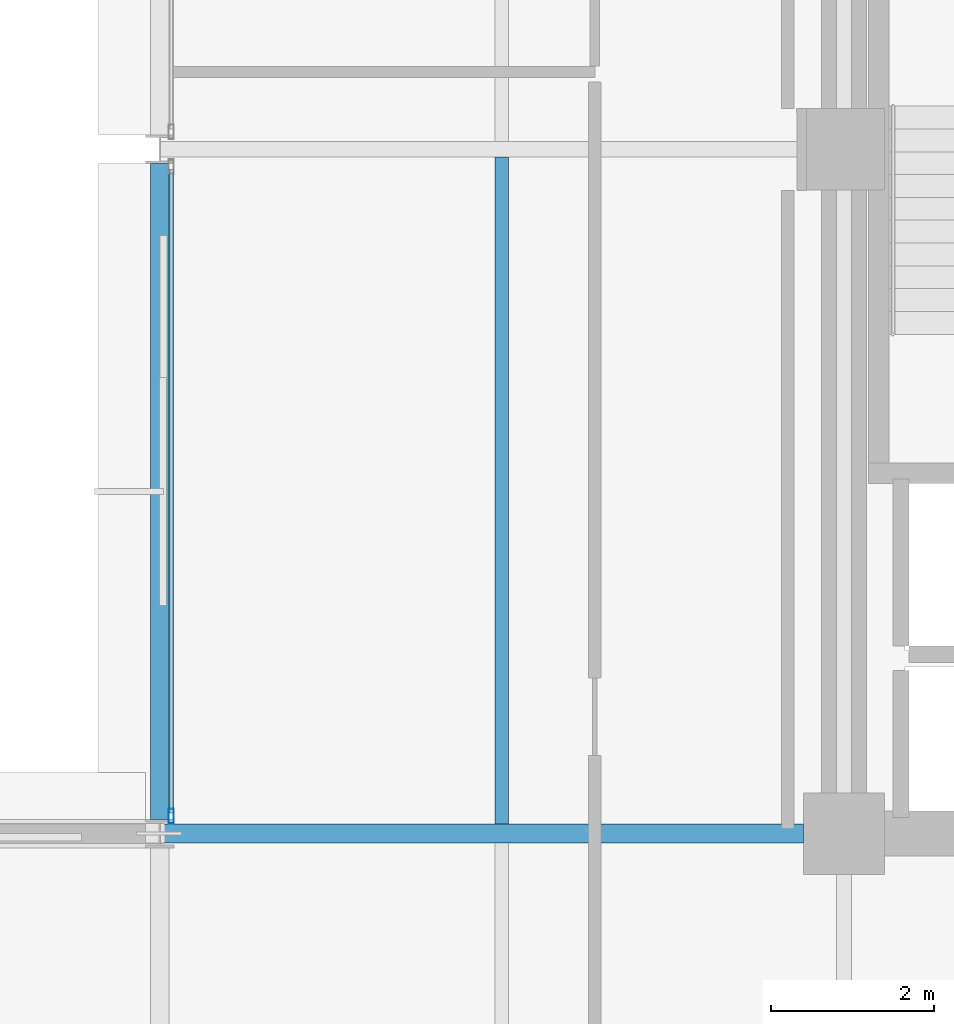
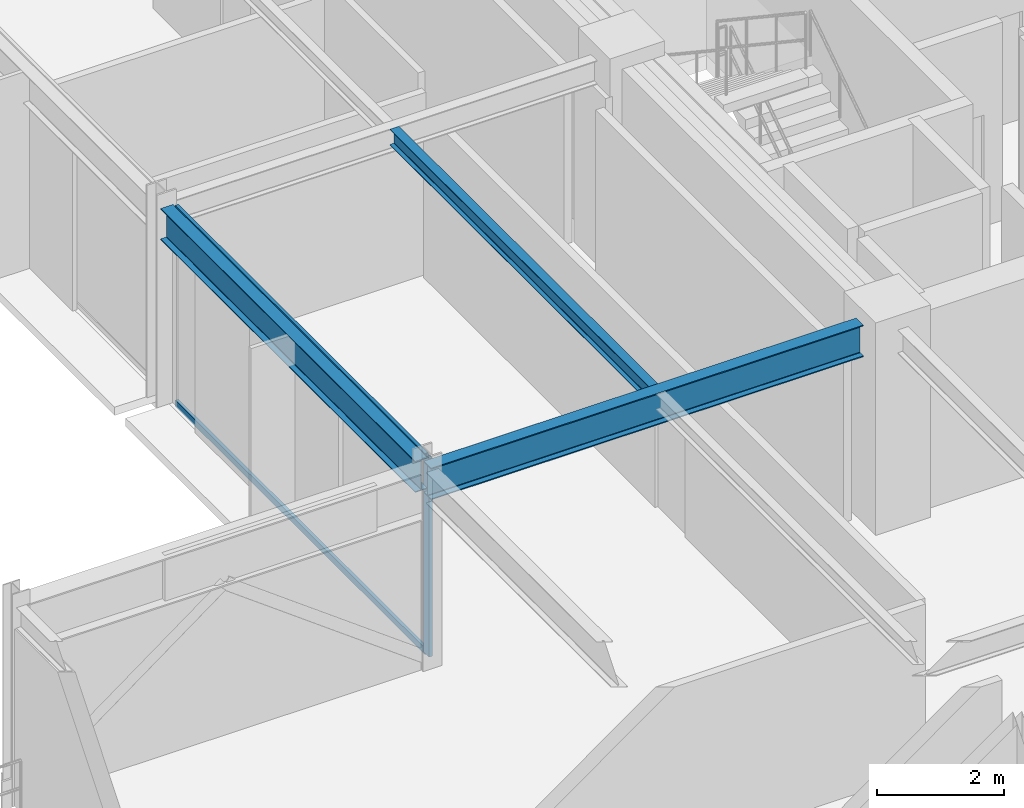
# One storey, part 9 of 30: 3 beams, 3 members, 1 element without a shape of its own.
"""IFC4 building model written with IfcOpenShell, lengths in metres."""

from ifc_helpers import new_model, si_unit, direction, frame, origin, origin_2d, place, context, subcontext, project, spatial, hollow_rectangle, i_section, extrude, material, layer, layer_set, material_profile, profile_set, type_object, element, aggregate, save


model = new_model("IFC4")

# Units and contexts
model_context = context("Model", 3, precision=1e-05, world=origin(), true_north=direction((0.0, 1.0)))
body_context = subcontext(model_context, "Body", "Model", "MODEL_VIEW")
ifc_project = project(units=[si_unit("LENGTHUNIT", "METRE"), si_unit("AREAUNIT", "SQUARE_METRE"), si_unit("VOLUMEUNIT", "CUBIC_METRE"), si_unit("PLANEANGLEUNIT", "RADIAN"), si_unit("MASSUNIT", "GRAM", prefix="KILO")], contexts=[model_context])

# Site, building, storey
site_placement = place(None, origin())
site = spatial("IfcSite", under=ifc_project, at=site_placement, CompositionType="ELEMENT")
building_placement = place(site_placement, origin())
building = spatial("IfcBuilding", under=site, at=building_placement, Name="Nerrivon Quay Data Exchange", CompositionType="ELEMENT")
storey_placement = place(building_placement, frame((0.0, 0.0, 171.39990234375)))
storey = spatial("IfcBuildingStorey", under=building, at=storey_placement, Name="L40", CompositionType="ELEMENT", Elevation=171.39990234375)

# Beams
ifc_material_1 = material(Name="Steel Grade 350", Category="steel")
ifc_material_profile_1 = material_profile(ifc_material_1, i_section(OverallWidth=0.22900390625, OverallDepth=0.612060546875, WebThickness=0.011962890625, FlangeThickness=0.01953125, FilletRadius=0.013916015625, at=origin_2d()), Name="610UB125")
ifc_profile_set_1 = profile_set([ifc_material_profile_1], Name="Steel Grade 350")
beam_type_1 = type_object("IfcBeamType", Name="BM-G1-610UB125", PredefinedType="BEAM", material=ifc_profile_set_1)
beam_1_placement = place(storey_placement, frame((0.010009765625, 25.199951171875, 3.51904296875), z_axis=(1.0, 0.0, 0.0), x_axis=(0.0, 1.0, 0.0)))
element("IfcBeam", 1, at=beam_1_placement, inside=storey, type_object=beam_type_1, Name="L40 EW Girder Y=25.2 (0.0..8.4)", PredefinedType="BEAM", context=body_context, shape_type="SweptSolid", body=[
    extrude(i_section(OverallWidth=0.22900390625, OverallDepth=0.612060546875, WebThickness=0.011962890625, FlangeThickness=0.01953125, FilletRadius=0.013916015625, at=origin_2d()), origin(), (0.0, 0.0, 1.0), 7.889892578125),
])
ifc_material_profile_2 = material_profile(ifc_material_1, i_section(OverallWidth=0.22802734375, OverallDepth=0.60205078125, WebThickness=0.010498046875, FlangeThickness=0.014892578125, FilletRadius=0.013916015625, at=origin_2d()), Name="610UB101")
ifc_profile_set_2 = profile_set([ifc_material_profile_2], Name="Steel Grade 350")
beam_type_2 = type_object("IfcBeamType", Name="BM-G2-610UB101", PredefinedType="BEAM", material=ifc_profile_set_2)
beam_2_placement = place(storey_placement, frame((0.0, 25.375, 3.524169921875), z_axis=(0.0, 1.0, 0.0), x_axis=(-1.0, 0.0, 0.0)))
element("IfcBeam", 2, at=beam_2_placement, inside=storey, type_object=beam_type_2, Name="L40 NS Girder X=0.0 (25.2..33.6)", PredefinedType="BEAM", context=body_context, shape_type="SweptSolid", body=[
    extrude(i_section(OverallWidth=0.22802734375, OverallDepth=0.60205078125, WebThickness=0.010498046875, FlangeThickness=0.014892578125, FilletRadius=0.013916015625, at=origin_2d()), origin(), (0.0, 0.0, 1.0), 8.050048828125),
])
ifc_material_profile_3 = material_profile(ifc_material_1, i_section(OverallWidth=0.166015625, OverallDepth=0.306884765625, WebThickness=0.006591796875, FlangeThickness=0.01171875, FilletRadius=0.011474609375, at=origin_2d()), Name="310UB46.2")
ifc_profile_set_3 = profile_set([ifc_material_profile_3], Name="Steel Grade 350")
beam_type_3 = type_object("IfcBeamType", Name="BM-J5-310UB46", PredefinedType="JOIST", material=ifc_profile_set_3)
beam_3_placement = place(storey_placement, frame((4.199951171875, 25.314453125, 3.671630859375), z_axis=(0.0, 1.0, 0.0), x_axis=(-1.0, 0.0, 0.0)))
element("IfcBeam", 3, at=beam_3_placement, inside=storey, type_object=beam_type_3, Name="L40 Secondary Joist X=4.2 (25.2..33.6)", PredefinedType="JOIST", context=body_context, shape_type="SweptSolid", body=[
    extrude(i_section(OverallWidth=0.166015625, OverallDepth=0.306884765625, WebThickness=0.006591796875, FlangeThickness=0.01171875, FilletRadius=0.011474609375, at=origin_2d()), origin(), (0.0, 0.0, 1.0), 8.18994140625),
])

# Curtain wall, members
ifc_material_2 = material(Name="Anodised aluminium 6063-T6", Category="aluminium")
ifc_layer = layer(ifc_material_2, 0.195068359375)
ifc_layer_set = layer_set([ifc_layer], Name="Anodised aluminium 6063-T6")
curtain_wall_type = type_object("IfcCurtainWallType", Name="CW-SYS-06", PredefinedType="NOTDEFINED", material=ifc_layer_set)
curtain_wall_placement = place(storey_placement, origin())
curtain_wall = element("IfcCurtainWall", 4, at=curtain_wall_placement, inside=storey, type_object=curtain_wall_type, Name="L40 Unitised Curtain Wall 4", PredefinedType="NOTDEFINED")
ifc_material_profile_4 = material_profile(ifc_material_2, hollow_rectangle(XDim=0.06494140625, YDim=0.179931640625, WallThickness=0.00341796875, at=origin_2d()), Name="ALU-MULL-180x65")
ifc_profile_set_4 = profile_set([ifc_material_profile_4], Name="Anodised aluminium 6063-T6")
member_type_1 = type_object("IfcMemberType", Name="CWM-180x65", PredefinedType="MULLION", material=ifc_profile_set_4)
member_1_placement = place(storey_placement, frame((0.139892578125, 25.41259765625, 0.0), z_axis=(0.0, 0.0, 1.0), x_axis=(-1.0, 0.0, 0.0)))
member_1 = element("IfcMember", 5, at=member_1_placement, type_object=member_type_1, Name="CW06 mullion 1", PredefinedType="MULLION", context=body_context, shape_type="SweptSolid", body=[
    extrude(hollow_rectangle(XDim=0.06494140625, YDim=0.179931640625, WallThickness=0.00341796875, at=origin_2d()), origin(), (0.0, 0.0, 1.0), 3.8251953125),
])
ifc_material_profile_5 = material_profile(ifc_material_2, hollow_rectangle(XDim=0.06005859375, YDim=0.1201171875, WallThickness=0.003173828125, at=origin_2d()), Name="ALU-TRAN-120x60")
ifc_profile_set_5 = profile_set([ifc_material_profile_5], Name="Anodised aluminium 6063-T6")
member_type_2 = type_object("IfcMemberType", Name="CWT-120x60", PredefinedType="USERDEFINED", material=ifc_profile_set_5)
member_2_placement = place(storey_placement, frame((0.139892578125, 25.449951171875, 0.03271484375), z_axis=(0.0, 1.0, 0.0), x_axis=(-1.0, 0.0, 0.0)))
member_2 = element("IfcMember", 6, at=member_2_placement, type_object=member_type_2, Name="CW06 transom 1.1", ObjectType="TRANSOM", PredefinedType="USERDEFINED", context=body_context, shape_type="SweptSolid", body=[
    extrude(hollow_rectangle(XDim=0.06005859375, YDim=0.1201171875, WallThickness=0.003173828125, at=origin_2d()), origin(), (0.0, 0.0, 1.0), 7.900146484375),
])
member_3_placement = place(storey_placement, frame((0.139892578125, 25.449951171875, 3.79248046875), z_axis=(0.0, 1.0, 0.0), x_axis=(-1.0, 0.0, 0.0)))
member_3 = element("IfcMember", 7, at=member_3_placement, type_object=member_type_2, Name="CW06 transom 1.2", ObjectType="TRANSOM", PredefinedType="USERDEFINED", context=body_context, shape_type="SweptSolid", body=[
    extrude(hollow_rectangle(XDim=0.06005859375, YDim=0.1201171875, WallThickness=0.003173828125, at=origin_2d()), origin(), (0.0, 0.0, 1.0), 7.900146484375),
])
aggregate(curtain_wall, [member_1, member_2, member_3])

save(model, "model.ifc")
